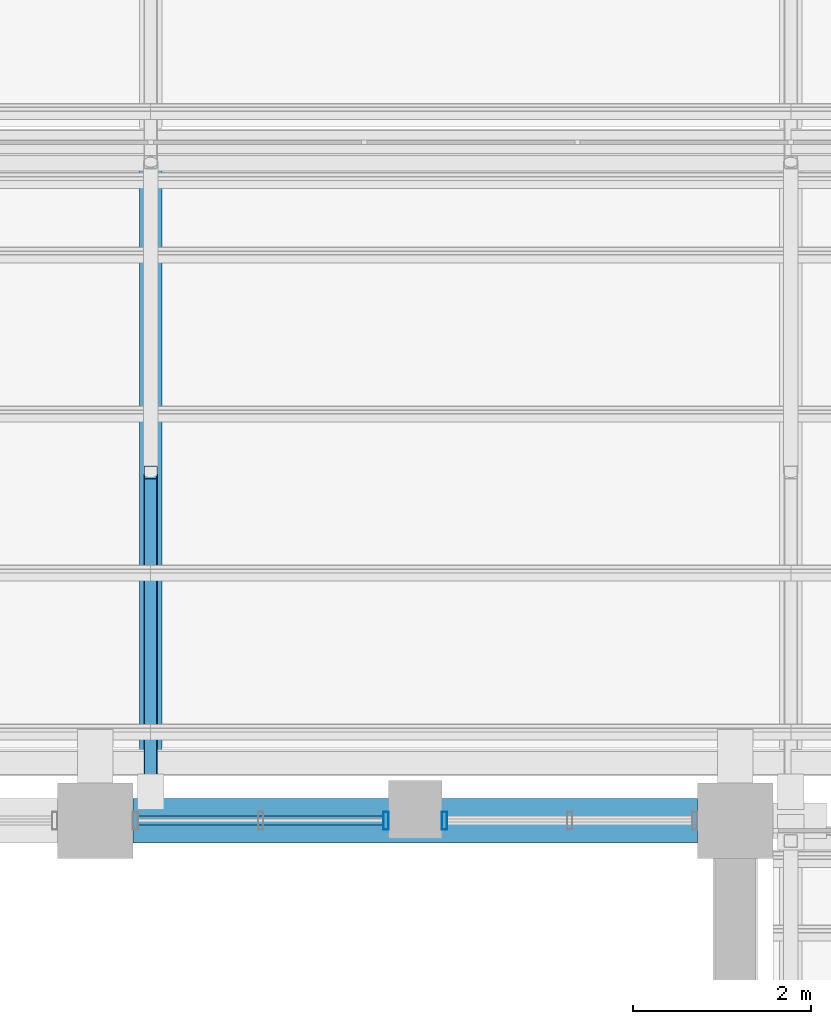
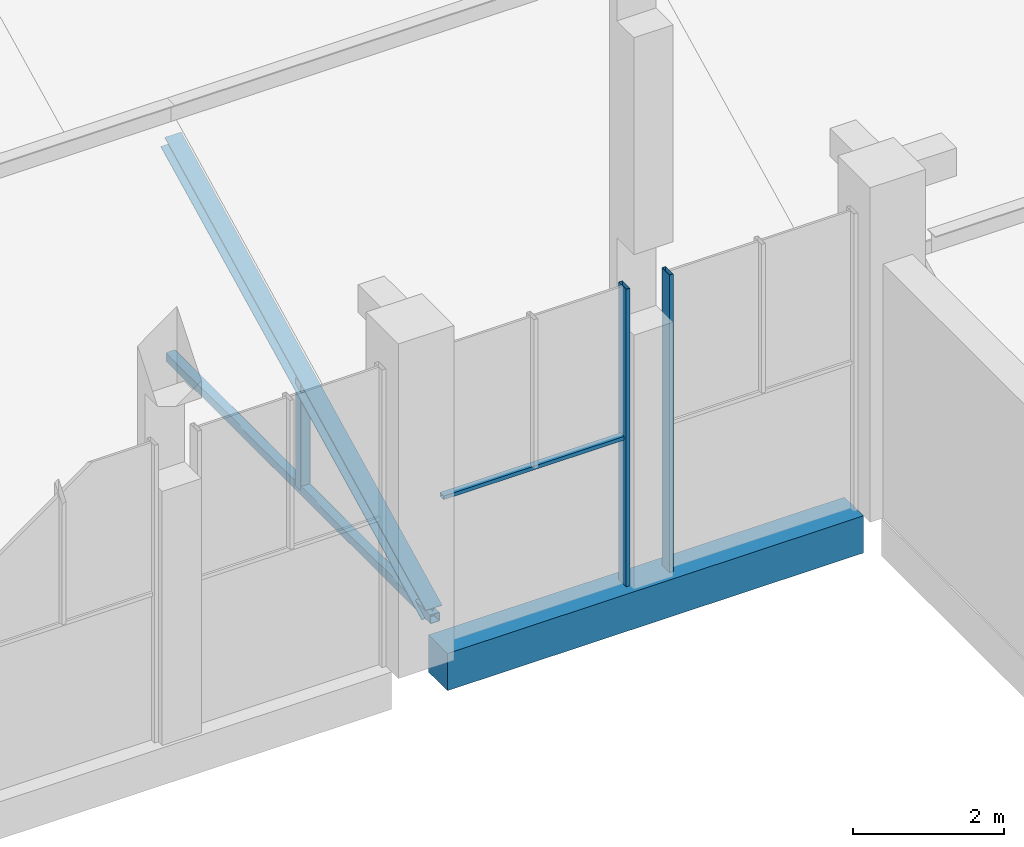
# One storey, part 29 of 83: 6 members, 1 beam, 2 elements without a shape of their own.
"""IFC4 building model written with IfcOpenShell, lengths in metres."""

from ifc_helpers import new_model, si_unit, direction, frame, origin, origin_2d, place, context, subcontext, project, spatial, rectangle, hollow_rectangle, i_section, extrude, material, material_profile, profile_set, type_object, element, aggregate, save


model = new_model("IFC4")

# Units and contexts
model_context = context("Model", 3, precision=1e-05, world=origin(), true_north=direction((0.0, 1.0)))
body_context = subcontext(model_context, "Body", "Model", "MODEL_VIEW")
ifc_project = project(units=[si_unit("LENGTHUNIT", "METRE"), si_unit("AREAUNIT", "SQUARE_METRE"), si_unit("VOLUMEUNIT", "CUBIC_METRE"), si_unit("PLANEANGLEUNIT", "RADIAN"), si_unit("MASSUNIT", "GRAM", prefix="KILO")], contexts=[model_context])

# Site, building, storey
site_placement = place(None, origin())
site = spatial("IfcSite", under=ifc_project, at=site_placement, CompositionType="ELEMENT")
building_placement = place(site_placement, origin())
building = spatial("IfcBuilding", under=site, at=building_placement, Name="Silangan Lancet Faculty of Sciences", CompositionType="ELEMENT")
storey_placement = place(building_placement, frame((0.0, 0.0, 11.39990234375)))
storey = spatial("IfcBuildingStorey", under=building, at=storey_placement, Name="L02", CompositionType="ELEMENT", Elevation=11.39990234375)

# Beam
ifc_material_1 = material(Name="Concrete C40/50", Category="concrete")
ifc_material_profile_1 = material_profile(ifc_material_1, rectangle(XDim=0.5, YDim=0.60009765625, at=origin_2d()), Name="RC 500x600")
ifc_profile_set_1 = profile_set([ifc_material_profile_1], Name="Concrete C40/50")
beam_type = type_object("IfcBeamType", Name="BEAM RC 500x600", PredefinedType="BEAM", material=ifc_profile_set_1)
beam_placement = place(storey_placement, frame((43.625, 36.0, -0.2998046875), z_axis=(1.0, 0.0, 0.0), x_axis=(0.0, 1.0, 0.0)))
element("IfcBeam", 1, at=beam_placement, inside=storey, type_object=beam_type, Name="BM-L02-7F-8F", PredefinedType="BEAM", context=body_context, shape_type="SweptSolid", body=[
    extrude(rectangle(XDim=0.5, YDim=0.60009765625, at=origin_2d()), origin(), (0.0, 0.0, 1.0), 6.35009765625),
])

# Curtain wall, member
ifc_material_2 = material(Name="Aluminium framed curtain wall with insulated glass", Category="aluminium")
curtain_wall_type = type_object("IfcCurtainWallType", Name="CW5 Nave north light glazing", PredefinedType="NOTDEFINED", material=ifc_material_2)
curtain_wall_1_placement = place(storey_placement, origin())
curtain_wall_1 = element("IfcCurtainWall", 2, at=curtain_wall_1_placement, inside=storey, type_object=curtain_wall_type, Name="CW5 Nave north lights L02 bay 1", PredefinedType="NOTDEFINED")
ifc_material_3 = material(Name="Aluminium 6063-T6 extrusion", Category="aluminium")
ifc_material_profile_2 = material_profile(ifc_material_3, hollow_rectangle(XDim=0.06005859375, YDim=0.199951171875, WallThickness=0.00390625, at=origin_2d()), Name="AL BOX 60x200x4")
ifc_profile_set_2 = profile_set([ifc_material_profile_2], Name="Aluminium 6063-T6 extrusion")
member_type_1 = type_object("IfcMemberType", Name="CM1 Mullion 60x200", PredefinedType="MULLION", material=ifc_profile_set_2)
member_1_placement = place(storey_placement, frame((47.1298828125, 36.0, 0.0), z_axis=(0.0, 0.0, 1.0), x_axis=(-1.0, 0.0, 0.0)))
member_1 = element("IfcMember", 3, at=member_1_placement, type_object=member_type_1, Name="CW5 Nave north lights L02 bay 1 mullion 2", PredefinedType="MULLION", context=body_context, shape_type="SweptSolid", body=[
    extrude(hollow_rectangle(XDim=0.06005859375, YDim=0.199951171875, WallThickness=0.00390625, at=origin_2d()), origin(), (0.0, 0.0, 1.0), 4.800048828125),
])
aggregate(curtain_wall_1, [member_1])

# Curtain wall, members
curtain_wall_2_placement = place(storey_placement, origin())
curtain_wall_2 = element("IfcCurtainWall", 4, at=curtain_wall_2_placement, inside=storey, type_object=curtain_wall_type, Name="CW5 Nave north lights L02 bay 2", PredefinedType="NOTDEFINED")
member_2_placement = place(storey_placement, frame((46.469970703125, 36.0, 0.0), z_axis=(0.0, 0.0, 1.0), x_axis=(-1.0, 0.0, 0.0)))
member_2 = element("IfcMember", 5, at=member_2_placement, type_object=member_type_1, Name="CW5 Nave north lights L02 bay 2 mullion 1", PredefinedType="MULLION", context=body_context, shape_type="SweptSolid", body=[
    extrude(hollow_rectangle(XDim=0.06005859375, YDim=0.199951171875, WallThickness=0.00390625, at=origin_2d()), origin(), (0.0, 0.0, 1.0), 4.800048828125),
])
ifc_material_4 = material(Name="Aluminium 6063-T6 extrusion", Category="aluminium")
ifc_material_profile_3 = material_profile(ifc_material_4, hollow_rectangle(XDim=0.10009765625, YDim=0.06005859375, WallThickness=0.0029296875, at=origin_2d()), Name="AL BOX 100x60x3")
ifc_profile_set_3 = profile_set([ifc_material_profile_3], Name="Aluminium 6063-T6 extrusion")
member_type_2 = type_object("IfcMemberType", Name="CT1 Transom 100x60", PredefinedType="USERDEFINED", material=ifc_profile_set_3)
member_3_placement = place(storey_placement, frame((46.43994140625, 36.0, 2.3701171875), z_axis=(-1.0, 0.0, 0.0), x_axis=(0.0, -1.0, 0.0)))
member_3 = element("IfcMember", 6, at=member_3_placement, type_object=member_type_2, Name="CW5 Nave north lights L02 bay 2 transom 1", ObjectType="TRANSOM", PredefinedType="USERDEFINED", context=body_context, shape_type="SweptSolid", body=[
    extrude(hollow_rectangle(XDim=0.10009765625, YDim=0.06005859375, WallThickness=0.0029296875, at=origin_2d()), origin(), (0.0, 0.0, 1.0), 2.7548828125),
])
aggregate(curtain_wall_2, [member_2, member_3])

# Members
ifc_material_5 = material(Name="Steel STKR400", Category="steel")
ifc_material_profile_4 = material_profile(ifc_material_5, hollow_rectangle(XDim=0.14990234375, YDim=0.14990234375, WallThickness=0.009033203125, InnerFilletRadius=0.009033203125, OuterFilletRadius=0.01806640625, at=origin_2d()), Name="SHS 150x150x9.0")
ifc_profile_set_4 = profile_set([ifc_material_profile_4], Name="Steel STKR400")
member_type_3 = type_object("IfcMemberType", Name="Truss bottom chord SHS 150x150x9.0", PredefinedType="CHORD", material=ifc_profile_set_4)
member_4_placement = place(storey_placement, frame((43.824951171875, 36.425048828125, 0.09521484375), z_axis=(0.0, 1.0, 0.0), x_axis=(-1.0, 0.0, 0.0)))
element("IfcMember", 7, at=member_4_placement, inside=storey, type_object=member_type_3, Name="Truss 3 bottom chord 1", PredefinedType="CHORD", context=body_context, shape_type="SweptSolid", body=[
    extrude(hollow_rectangle(XDim=0.14990234375, YDim=0.14990234375, WallThickness=0.009033203125, InnerFilletRadius=0.009033203125, OuterFilletRadius=0.01806640625, at=origin_2d()), origin(), (0.0, 0.0, 1.0), 6.981689453125),
])
ifc_material_6 = material(Name="Steel STKR400", Category="steel")
ifc_material_profile_5 = material_profile(ifc_material_6, hollow_rectangle(XDim=0.14990234375, YDim=0.14990234375, WallThickness=0.006103515625, InnerFilletRadius=0.006103515625, OuterFilletRadius=0.011962890625, at=origin_2d()), Name="SHS 150x150x6.0")
ifc_profile_set_5 = profile_set([ifc_material_profile_5], Name="Steel STKR400")
member_type_4 = type_object("IfcMemberType", Name="Truss post SHS 150x150x6.0", PredefinedType="POST", material=ifc_profile_set_5)
member_5_placement = place(storey_placement, frame((43.824951171875, 39.915771484375, 0.09521484375), z_axis=(0.0, 0.0, 1.0), x_axis=(1.0, 0.0, 0.0)))
element("IfcMember", 8, at=member_5_placement, inside=storey, type_object=member_type_4, Name="Truss 3 mid post 1", PredefinedType="POST", context=body_context, shape_type="SweptSolid", body=[
    extrude(hollow_rectangle(XDim=0.14990234375, YDim=0.14990234375, WallThickness=0.006103515625, InnerFilletRadius=0.006103515625, OuterFilletRadius=0.011962890625, at=origin_2d()), origin(), (0.0, 0.0, 1.0), 1.745361328125),
])
ifc_material_7 = material(Name="Steel SS400", Category="steel")
ifc_material_profile_6 = material_profile(ifc_material_7, i_section(OverallWidth=0.25, OverallDepth=0.25, WebThickness=0.009033203125, FlangeThickness=0.013916015625, FilletRadius=0.01611328125, at=origin_2d()), Name="H 250x250x9x14")
ifc_profile_set_6 = profile_set([ifc_material_profile_6], Name="Steel SS400")
member_type_5 = type_object("IfcMemberType", Name="Truss top chord H 250x250x9x14", PredefinedType="CHORD", material=ifc_profile_set_6)
member_6_placement = place(storey_placement, frame((43.824951171875, 36.505615234375, 0.13525390625), z_axis=(0.0, 0.894420862535, 0.447226252205), x_axis=(-1.0, 0.0, 0.0)))
element("IfcMember", 9, at=member_6_placement, inside=storey, type_object=member_type_5, Name="Truss 3 top chord 1", PredefinedType="CHORD", context=body_context, shape_type="SweptSolid", body=[
    extrude(i_section(OverallWidth=0.25, OverallDepth=0.25, WebThickness=0.009033203125, FlangeThickness=0.013916015625, FilletRadius=0.01611328125, at=origin_2d()), origin(), (0.0, 0.0, 1.0), 7.7158203125),
])

save(model, "model.ifc")
